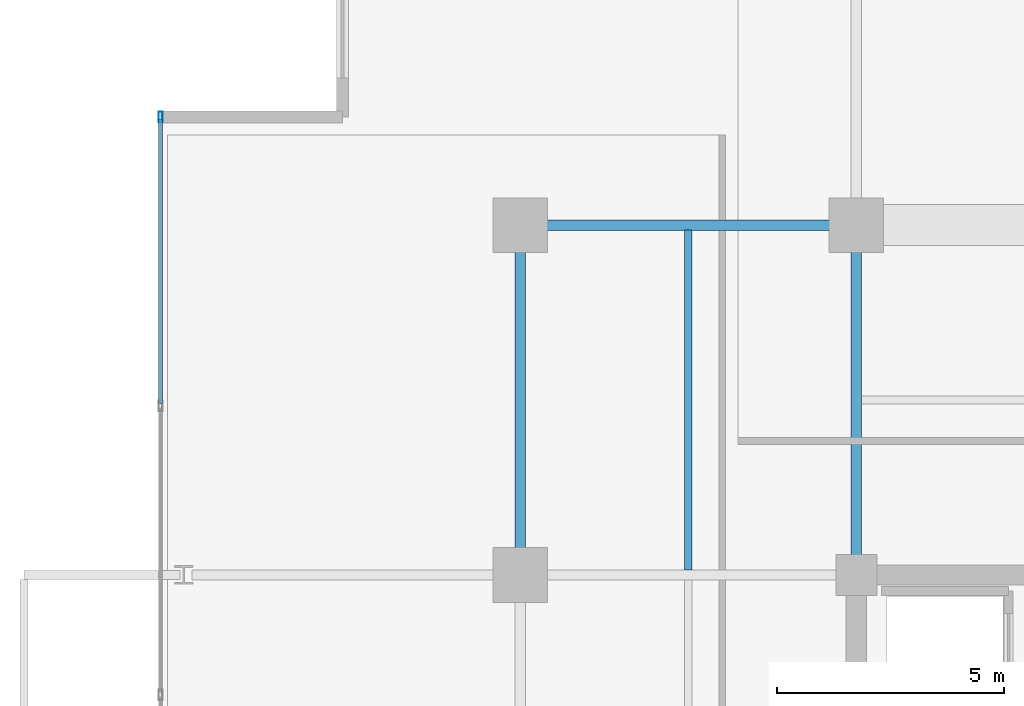
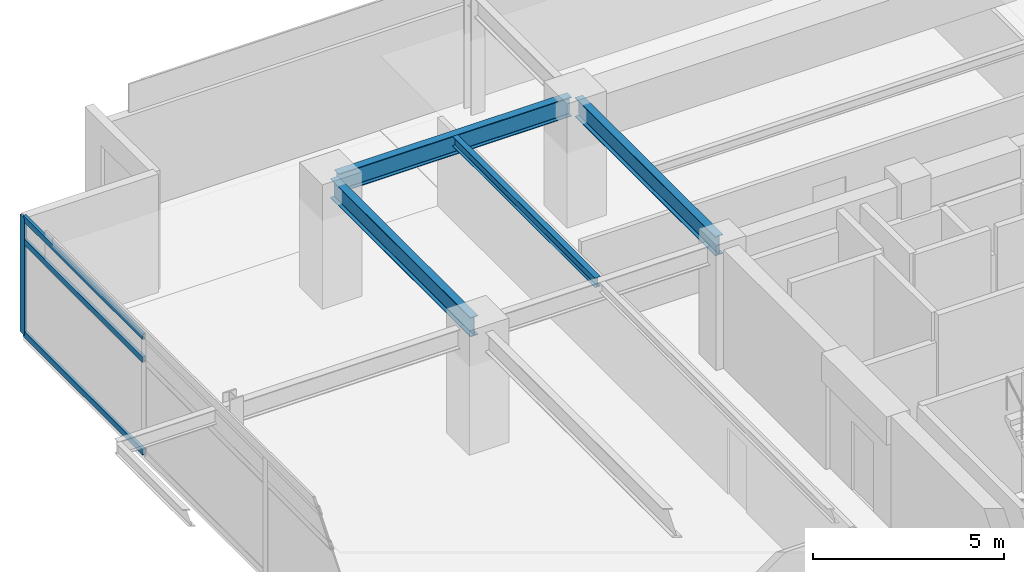
# One storey, part 11 of 23: 4 beams, 4 members, 1 element without a shape of its own.
"""IFC4 building model written with IfcOpenShell, lengths in metres."""

from ifc_helpers import new_model, si_unit, direction, frame, origin, origin_2d, place, context, subcontext, project, spatial, hollow_rectangle, i_section, extrude, material, material_profile, profile_set, type_object, element, aggregate, save


model = new_model("IFC4")

# Units and contexts
model_context = context("Model", 3, precision=1e-05, world=origin(), true_north=direction((0.0, 1.0)))
body_context = subcontext(model_context, "Body", "Model", "MODEL_VIEW")
ifc_project = project(units=[si_unit("LENGTHUNIT", "METRE"), si_unit("AREAUNIT", "SQUARE_METRE"), si_unit("VOLUMEUNIT", "CUBIC_METRE"), si_unit("PLANEANGLEUNIT", "RADIAN"), si_unit("MASSUNIT", "GRAM", prefix="KILO")], contexts=[model_context])

# Site, building, storey
site_placement = place(None, origin())
site = spatial("IfcSite", under=ifc_project, at=site_placement, CompositionType="ELEMENT")
building_placement = place(site_placement, origin())
building = spatial("IfcBuilding", under=site, at=building_placement, Name="Kovane Verandah Tower", CompositionType="ELEMENT")
storey_placement = place(building_placement, frame((0.0, 0.0, 243.199951171875)))
storey = spatial("IfcBuildingStorey", under=building, at=storey_placement, Name="L56", CompositionType="ELEMENT", Elevation=243.199951171875)

# Beams
ifc_material_1 = material(Name="Steel S355", Category="steel")
ifc_material_profile_1 = material_profile(ifc_material_1, i_section(OverallWidth=0.230224609375, OverallDepth=0.6171875, WebThickness=0.01318359375, FlangeThickness=0.022216796875, FilletRadius=0.0126953125, at=origin_2d()), Name="UB610x229x140")
ifc_profile_set_1 = profile_set([ifc_material_profile_1], Name="Steel S355")
beam_type_1 = type_object("IfcBeamType", Name="BM-UB610x140", PredefinedType="BEAM", material=ifc_profile_set_1)
beam_1_placement = place(storey_placement, frame((21.780029296875, 44.199951171875, 3.4765625), z_axis=(1.0, 0.0, 0.0), x_axis=(0.0, 1.0, 0.0)))
element("IfcBeam", 1, at=beam_1_placement, inside=storey, type_object=beam_type_1, Name="L56 Primary Tower Girder G-RN1", PredefinedType="BEAM", context=body_context, shape_type="SweptSolid", body=[
    extrude(i_section(OverallWidth=0.230224609375, OverallDepth=0.6171875, WebThickness=0.01318359375, FlangeThickness=0.022216796875, FilletRadius=0.0126953125, at=origin_2d()), origin(), (0.0, 0.0, 1.0), 7.0400390625),
])
for number, where, z_axis, x_axis, name in (
    (2, (21.60009765625, 36.679931640625, 3.4765625), (0.0, 1.0, 0.0), (-1.0, 0.0, 0.0), "L56 Primary Tower Girder G-RW3"),
    (3, (29.0, 36.679931640625, 3.4765625), (0.0, 1.0, 0.0), (-1.0, 0.0, 0.0), "L56 Primary Tower Girder G-N1"),
):
    element("IfcBeam", number, at=place(storey_placement, frame(where, z_axis=z_axis, x_axis=x_axis)), inside=storey, type_object=beam_type_1, Name=name, PredefinedType="BEAM", context=body_context, shape_type="SweptSolid", body=[
        extrude(i_section(OverallWidth=0.230224609375, OverallDepth=0.6171875, WebThickness=0.01318359375, FlangeThickness=0.022216796875, FilletRadius=0.0126953125, at=origin_2d()), origin(), (0.0, 0.0, 1.0), 7.340087890625),
    ])

# Curtain wall, members
ifc_material_2 = material(Name="Champagne Anodised Aluminium Frame with Low-E Clear Laminated Glass", Category="aluminium")
curtain_wall_type = type_object("IfcCurtainWallType", Name="CW-SYS-05-HIGH", PredefinedType="NOTDEFINED", material=ifc_material_2)
curtain_wall_placement = place(storey_placement, origin())
curtain_wall = element("IfcCurtainWall", 4, at=curtain_wall_placement, inside=storey, type_object=curtain_wall_type, Name="L56 W Unitised Curtain Wall", PredefinedType="NOTDEFINED")
ifc_material_3 = material(Name="Champagne Anodised Aluminium 6063-T6", Category="aluminium")
ifc_material_profile_2 = material_profile(ifc_material_3, hollow_rectangle(XDim=0.0849609375, YDim=0.22998046875, WallThickness=0.00390625, at=origin_2d()), Name="AL85x230x4")
ifc_profile_set_2 = profile_set([ifc_material_profile_2], Name="Champagne Anodised Aluminium 6063-T6")
member_type_1 = type_object("IfcMemberType", Name="CW-MUL-85x230", PredefinedType="MULLION", material=ifc_profile_set_2)
member_1_placement = place(storey_placement, frame((13.6923828125, 46.580078125, 0.02001953125), z_axis=(0.0, 0.0, 1.0), x_axis=(-1.0, 0.0, 0.0)))
member_1 = element("IfcMember", 5, at=member_1_placement, type_object=member_type_1, Name="L56 W Unitised Curtain Wall Mullion 1", PredefinedType="MULLION", context=body_context, shape_type="SweptSolid", body=[
    extrude(hollow_rectangle(XDim=0.0849609375, YDim=0.22998046875, WallThickness=0.00390625, at=origin_2d()), origin(), (0.0, 0.0, 1.0), 3.7451171875),
])
ifc_material_profile_3 = material_profile(ifc_material_3, hollow_rectangle(XDim=0.0849609375, YDim=0.18994140625, WallThickness=0.00390625, at=origin_2d()), Name="AL85x190x4")
ifc_profile_set_3 = profile_set([ifc_material_profile_3], Name="Champagne Anodised Aluminium 6063-T6")
member_type_2 = type_object("IfcMemberType", Name="CW-TRN-85x190", PredefinedType="USERDEFINED", material=ifc_profile_set_3)
member_2_placement = place(storey_placement, frame((13.6923828125, 46.530029296875, 0.050048828125), z_axis=(0.0, -1.0, 0.0), x_axis=(1.0, 0.0, 0.0)))
member_2 = element("IfcMember", 6, at=member_2_placement, type_object=member_type_2, Name="L56 W Unitised Curtain Wall Transom TB Bay 1", ObjectType="TRANSOM", PredefinedType="USERDEFINED", context=body_context, shape_type="SweptSolid", body=[
    extrude(hollow_rectangle(XDim=0.0849609375, YDim=0.18994140625, WallThickness=0.00390625, at=origin_2d()), origin(), (0.0, 0.0, 1.0), 6.260009765625),
])
member_3_placement = place(storey_placement, frame((13.6923828125, 46.530029296875, 3.005126953125), z_axis=(0.0, -1.0, 0.0), x_axis=(1.0, 0.0, 0.0)))
member_3 = element("IfcMember", 7, at=member_3_placement, type_object=member_type_2, Name="L56 W Unitised Curtain Wall Transom TM Bay 1", ObjectType="TRANSOM", PredefinedType="USERDEFINED", context=body_context, shape_type="SweptSolid", body=[
    extrude(hollow_rectangle(XDim=0.0849609375, YDim=0.18994140625, WallThickness=0.00390625, at=origin_2d()), origin(), (0.0, 0.0, 1.0), 6.260009765625),
])
member_4_placement = place(storey_placement, frame((13.6923828125, 46.530029296875, 3.735107421875), z_axis=(0.0, -1.0, 0.0), x_axis=(1.0, 0.0, 0.0)))
member_4 = element("IfcMember", 8, at=member_4_placement, type_object=member_type_2, Name="L56 W Unitised Curtain Wall Transom TT Bay 1", ObjectType="TRANSOM", PredefinedType="USERDEFINED", context=body_context, shape_type="SweptSolid", body=[
    extrude(hollow_rectangle(XDim=0.0849609375, YDim=0.18994140625, WallThickness=0.00390625, at=origin_2d()), origin(), (0.0, 0.0, 1.0), 6.260009765625),
])
aggregate(curtain_wall, [member_1, member_2, member_3, member_4])

# Beam
ifc_material_profile_4 = material_profile(ifc_material_1, i_section(OverallWidth=0.1669921875, OverallDepth=0.310302734375, WebThickness=0.0078125, FlangeThickness=0.013671875, FilletRadius=0.0087890625, at=origin_2d()), Name="UB305x165x54")
ifc_profile_set_4 = profile_set([ifc_material_profile_4], Name="Steel S355")
beam_type_2 = type_object("IfcBeamType", Name="JST-UB305x54", PredefinedType="JOIST", material=ifc_profile_set_4)
beam_2_placement = place(storey_placement, frame((25.300048828125, 36.613037109375, 3.6298828125), z_axis=(0.0, 1.0, 0.0), x_axis=(-1.0, 0.0, 0.0)))
element("IfcBeam", 9, at=beam_2_placement, inside=storey, type_object=beam_type_2, Name="L56 Secondary Composite Joist J-NW1", PredefinedType="JOIST", context=body_context, shape_type="SweptSolid", body=[
    extrude(i_section(OverallWidth=0.1669921875, OverallDepth=0.310302734375, WebThickness=0.0078125, FlangeThickness=0.013671875, FilletRadius=0.0087890625, at=origin_2d()), origin(), (0.0, 0.0, 1.0), 7.473876953125),
])

save(model, "model.ifc")
